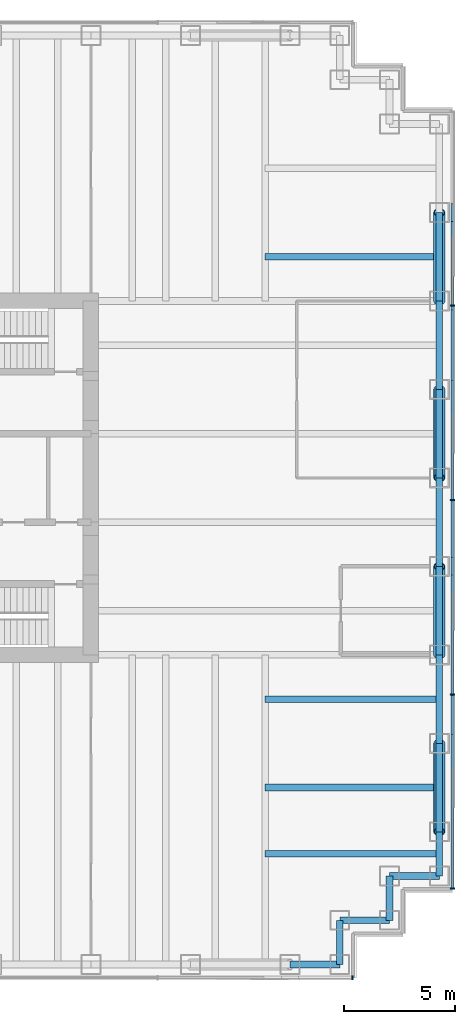
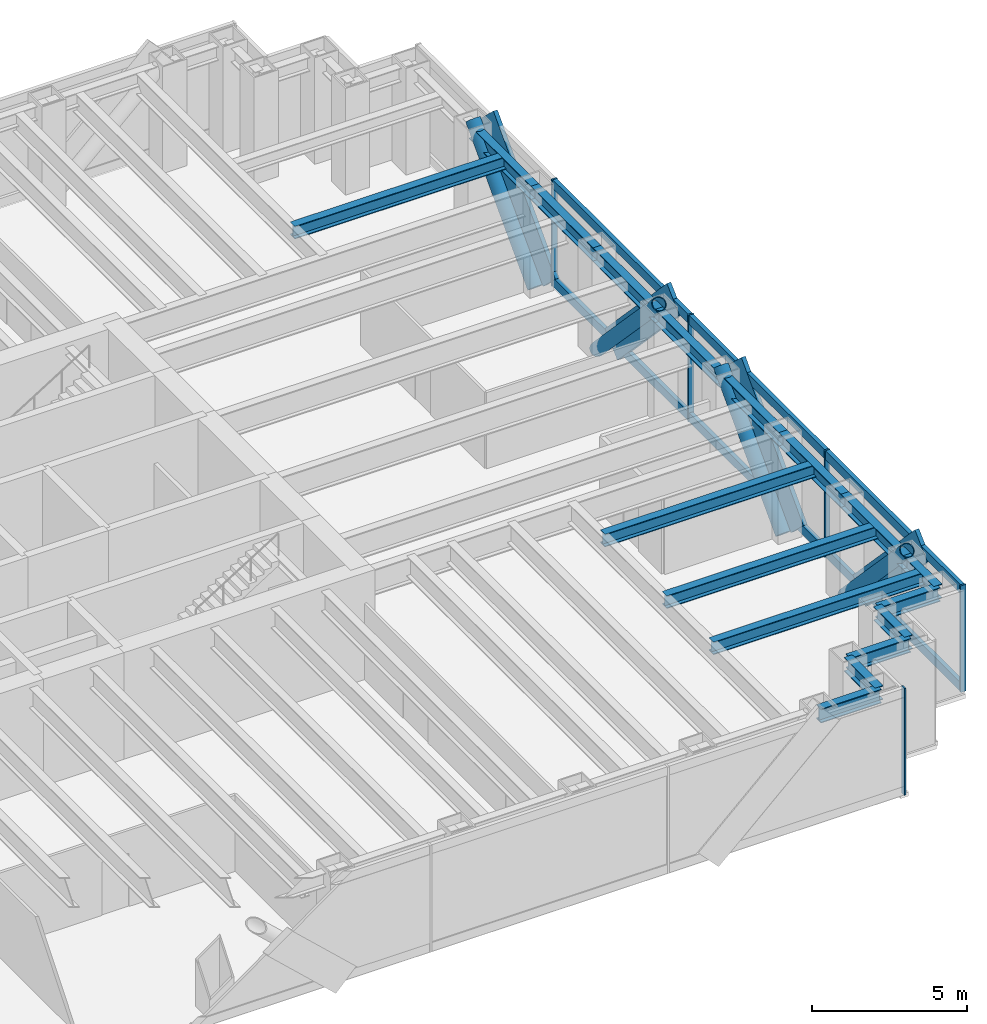
# One storey, part 8 of 15: 19 members, 17 beams, 2 elements without a shape of their own.
"""IFC4 building model written with IfcOpenShell, lengths in metres."""

from ifc_helpers import new_model, si_unit, direction, frame, origin, origin_2d, place, context, subcontext, project, spatial, rectangle, hollow_circle, i_section, extrude, material, material_profile, profile_set, type_object, element, aggregate, save


model = new_model("IFC4")

# Units and contexts
model_context = context("Model", 3, precision=1e-05, world=origin(), true_north=direction((0.0, 1.0)))
body_context = subcontext(model_context, "Body", "Model", "MODEL_VIEW")
ifc_project = project(units=[si_unit("LENGTHUNIT", "METRE"), si_unit("AREAUNIT", "SQUARE_METRE"), si_unit("VOLUMEUNIT", "CUBIC_METRE"), si_unit("PLANEANGLEUNIT", "RADIAN"), si_unit("MASSUNIT", "GRAM", prefix="KILO")], contexts=[model_context])

# Site, building, storey
site_placement = place(None, origin())
site = spatial("IfcSite", under=ifc_project, at=site_placement, CompositionType="ELEMENT")
building_placement = place(site_placement, origin())
building = spatial("IfcBuilding", under=site, at=building_placement, Name="Rheinbord Bourse Tower", CompositionType="ELEMENT")
storey_placement = place(building_placement, frame((0.0, 0.0, 325.699951171875)))
storey = spatial("IfcBuildingStorey", under=building, at=storey_placement, Name="L74", CompositionType="ELEMENT", Elevation=325.699951171875)

# Curtain wall, members
ifc_material_1 = material(Name="Dark glass and black aluminium", Category="aluminium")
curtain_wall_type = type_object("IfcCurtainWallType", Name="CW3 DARK GLASS CURTAIN WALL", PredefinedType="USERDEFINED", material=ifc_material_1)
curtain_wall_1_placement = place(storey_placement, origin())
curtain_wall_1 = element("IfcCurtainWall", 1, at=curtain_wall_1_placement, inside=storey, type_object=curtain_wall_type, Name="Curtain wall CW3 E L74", ObjectType="UNITISED CURTAIN WALL", PredefinedType="USERDEFINED")
ifc_material_2 = material(Name="Black anodised aluminium", Category="aluminium")
ifc_material_profile_1 = material_profile(ifc_material_2, rectangle(XDim=0.14990234375, YDim=1.10791015625, at=origin_2d()), Name="CW3 DIAGONAL MULLION 1108x150")
ifc_profile_set_1 = profile_set([ifc_material_profile_1], Name="Black anodised aluminium")
member_type_1 = type_object("IfcMemberType", Name="CW3 BLACK DIAGONAL MULLION", PredefinedType="USERDEFINED", material=ifc_profile_set_1)
member_1_placement = place(storey_placement, frame((70.35009765625, 16.0, 0.0), z_axis=(0.0, 0.689659376744, 0.724133926887), x_axis=(-1.0, 0.0, 0.0)))
member_1 = element("IfcMember", 2, at=member_1_placement, type_object=member_type_1, Name="CW3 diagonal mullion a", ObjectType="DIAGONAL MULLION", PredefinedType="USERDEFINED", context=body_context, shape_type="SweptSolid", body=[
    extrude(rectangle(XDim=0.14990234375, YDim=1.10791015625, at=origin_2d()), origin(), (0.0, 0.0, 1.0), 5.800048828125),
])
member_2_placement = place(storey_placement, frame((70.35009765625, 28.0, 0.0), z_axis=(0.0, -0.689659376744, 0.724133926887), x_axis=(1.0, 0.0, 0.0)))
member_2 = element("IfcMember", 3, at=member_2_placement, type_object=member_type_1, Name="CW3 diagonal mullion b", ObjectType="DIAGONAL MULLION", PredefinedType="USERDEFINED", context=body_context, shape_type="SweptSolid", body=[
    extrude(rectangle(XDim=0.14990234375, YDim=1.10791015625, at=origin_2d()), origin(), (0.0, 0.0, 1.0), 5.800048828125),
])
member_3_placement = place(storey_placement, frame((70.35009765625, 32.0, 0.0), z_axis=(0.0, 0.689659376744, 0.724133926887), x_axis=(-1.0, 0.0, 0.0)))
member_3 = element("IfcMember", 4, at=member_3_placement, type_object=member_type_1, Name="CW3 diagonal mullion c", ObjectType="DIAGONAL MULLION", PredefinedType="USERDEFINED", context=body_context, shape_type="SweptSolid", body=[
    extrude(rectangle(XDim=0.14990234375, YDim=1.10791015625, at=origin_2d()), origin(), (0.0, 0.0, 1.0), 5.800048828125),
])
member_4_placement = place(storey_placement, frame((70.35009765625, 12.0, 0.0), z_axis=(0.0, -0.689659376744, 0.724133926887), x_axis=(1.0, 0.0, 0.0)))
member_4 = element("IfcMember", 5, at=member_4_placement, type_object=member_type_1, Name="CW3 diagonal mullion d", ObjectType="DIAGONAL MULLION", PredefinedType="USERDEFINED", context=body_context, shape_type="SweptSolid", body=[
    extrude(rectangle(XDim=0.14990234375, YDim=1.10791015625, at=origin_2d()), origin(), (0.0, 0.0, 1.0), 5.800048828125),
])

# Curtain wall, member
curtain_wall_2_placement = place(storey_placement, origin())
curtain_wall_2 = element("IfcCurtainWall", 6, at=curtain_wall_2_placement, inside=storey, type_object=curtain_wall_type, Name="Curtain wall CW3 S L74", ObjectType="UNITISED CURTAIN WALL", PredefinedType="USERDEFINED")
ifc_material_3 = material(Name="Black anodised aluminium", Category="aluminium")
ifc_material_profile_2 = material_profile(ifc_material_3, rectangle(XDim=0.199951171875, YDim=0.06494140625, at=origin_2d()), Name="CW3 MULLION 65x200")
ifc_profile_set_2 = profile_set([ifc_material_profile_2], Name="Black anodised aluminium")
member_type_2 = type_object("IfcMemberType", Name="CW3 BLACK MULLION", PredefinedType="MULLION", material=ifc_profile_set_2)
member_5_placement = place(storey_placement, frame((65.8173828125, 1.39990234375, 0.0), z_axis=(0.0, 0.0, 1.0), x_axis=(0.0, 1.0, 0.0)))
member_5 = element("IfcMember", 7, at=member_5_placement, type_object=member_type_2, Name="CW3 mullion 8", PredefinedType="MULLION", context=body_context, shape_type="SweptSolid", body=[
    extrude(rectangle(XDim=0.199951171875, YDim=0.06494140625, at=origin_2d()), origin(), (0.0, 0.0, 1.0), 4.199951171875),
])
aggregate(curtain_wall_2, [member_5])

# Member
member_6_placement = place(storey_placement, frame((70.35009765625, 5.4326171875, 0.0), z_axis=(0.0, 0.0, 1.0), x_axis=(-1.0, 0.0, 0.0)))
member_6 = element("IfcMember", 8, at=member_6_placement, type_object=member_type_2, Name="CW3 mullion 1", PredefinedType="MULLION", context=body_context, shape_type="SweptSolid", body=[
    extrude(rectangle(XDim=0.199951171875, YDim=0.06494140625, at=origin_2d()), origin(), (0.0, 0.0, 1.0), 4.199951171875),
])

member_7_placement = place(storey_placement, frame((70.35009765625, 14.199951171875, 0.0), z_axis=(0.0, 0.0, 1.0), x_axis=(-1.0, 0.0, 0.0)))
member_7 = element("IfcMember", 9, at=member_7_placement, type_object=member_type_2, Name="CW3 mullion 2", PredefinedType="MULLION", context=body_context, shape_type="SweptSolid", body=[
    extrude(rectangle(XDim=0.199951171875, YDim=0.06494140625, at=origin_2d()), origin(), (0.0, 0.0, 1.0), 4.199951171875),
])

member_8_placement = place(storey_placement, frame((70.35009765625, 23.0, 0.0), z_axis=(0.0, 0.0, 1.0), x_axis=(-1.0, 0.0, 0.0)))
member_8 = element("IfcMember", 10, at=member_8_placement, type_object=member_type_2, Name="CW3 mullion 3", PredefinedType="MULLION", context=body_context, shape_type="SweptSolid", body=[
    extrude(rectangle(XDim=0.199951171875, YDim=0.06494140625, at=origin_2d()), origin(), (0.0, 0.0, 1.0), 4.199951171875),
])

member_9_placement = place(storey_placement, frame((70.35009765625, 31.800048828125, 0.0), z_axis=(0.0, 0.0, 1.0), x_axis=(-1.0, 0.0, 0.0)))
member_9 = element("IfcMember", 11, at=member_9_placement, type_object=member_type_2, Name="CW3 mullion 4", PredefinedType="MULLION", context=body_context, shape_type="SweptSolid", body=[
    extrude(rectangle(XDim=0.199951171875, YDim=0.06494140625, at=origin_2d()), origin(), (0.0, 0.0, 1.0), 4.199951171875),
])

ifc_material_4 = material(Name="Black anodised aluminium", Category="aluminium")
ifc_material_profile_3 = material_profile(ifc_material_4, rectangle(XDim=0.14990234375, YDim=0.35009765625, at=origin_2d()), Name="CW3 TRANSOM 350x150")
ifc_profile_set_3 = profile_set([ifc_material_profile_3], Name="Black anodised aluminium")
member_type_3 = type_object("IfcMemberType", Name="CW3 BLACK TRANSOM", PredefinedType="USERDEFINED", material=ifc_profile_set_3)
member_10_placement = place(storey_placement, frame((70.35009765625, 5.465087890625, 0.175048828125), z_axis=(0.0, 1.0, 0.0), x_axis=(-1.0, 0.0, 0.0)))
member_10 = element("IfcMember", 12, at=member_10_placement, type_object=member_type_3, Name="CW3 transom 1.1", ObjectType="TRANSOM", PredefinedType="USERDEFINED", context=body_context, shape_type="SweptSolid", body=[
    extrude(rectangle(XDim=0.14990234375, YDim=0.35009765625, at=origin_2d()), origin(), (0.0, 0.0, 1.0), 8.702392578125),
])

member_11_placement = place(storey_placement, frame((70.35009765625, 5.465087890625, 4.025146484375), z_axis=(0.0, 1.0, 0.0), x_axis=(-1.0, 0.0, 0.0)))
member_11 = element("IfcMember", 13, at=member_11_placement, type_object=member_type_3, Name="CW3 transom 1.2", ObjectType="TRANSOM", PredefinedType="USERDEFINED", context=body_context, shape_type="SweptSolid", body=[
    extrude(rectangle(XDim=0.14990234375, YDim=0.35009765625, at=origin_2d()), origin(), (0.0, 0.0, 1.0), 8.702392578125),
])

member_12_placement = place(storey_placement, frame((70.35009765625, 14.232421875, 0.175048828125), z_axis=(0.0, 1.0, 0.0), x_axis=(-1.0, 0.0, 0.0)))
member_12 = element("IfcMember", 14, at=member_12_placement, type_object=member_type_3, Name="CW3 transom 2.1", ObjectType="TRANSOM", PredefinedType="USERDEFINED", context=body_context, shape_type="SweptSolid", body=[
    extrude(rectangle(XDim=0.14990234375, YDim=0.35009765625, at=origin_2d()), origin(), (0.0, 0.0, 1.0), 8.735107421875),
])

member_13_placement = place(storey_placement, frame((70.35009765625, 14.232421875, 4.025146484375), z_axis=(0.0, 1.0, 0.0), x_axis=(-1.0, 0.0, 0.0)))
member_13 = element("IfcMember", 15, at=member_13_placement, type_object=member_type_3, Name="CW3 transom 2.2", ObjectType="TRANSOM", PredefinedType="USERDEFINED", context=body_context, shape_type="SweptSolid", body=[
    extrude(rectangle(XDim=0.14990234375, YDim=0.35009765625, at=origin_2d()), origin(), (0.0, 0.0, 1.0), 8.735107421875),
])

member_14_placement = place(storey_placement, frame((70.35009765625, 23.032470703125, 0.175048828125), z_axis=(0.0, 1.0, 0.0), x_axis=(-1.0, 0.0, 0.0)))
member_14 = element("IfcMember", 16, at=member_14_placement, type_object=member_type_3, Name="CW3 transom 3.1", ObjectType="TRANSOM", PredefinedType="USERDEFINED", context=body_context, shape_type="SweptSolid", body=[
    extrude(rectangle(XDim=0.14990234375, YDim=0.35009765625, at=origin_2d()), origin(), (0.0, 0.0, 1.0), 8.735107421875),
])

member_15_placement = place(storey_placement, frame((70.35009765625, 23.032470703125, 4.025146484375), z_axis=(0.0, 1.0, 0.0), x_axis=(-1.0, 0.0, 0.0)))
member_15 = element("IfcMember", 17, at=member_15_placement, type_object=member_type_3, Name="CW3 transom 3.2", ObjectType="TRANSOM", PredefinedType="USERDEFINED", context=body_context, shape_type="SweptSolid", body=[
    extrude(rectangle(XDim=0.14990234375, YDim=0.35009765625, at=origin_2d()), origin(), (0.0, 0.0, 1.0), 8.735107421875),
])

aggregate(curtain_wall_1, [member_6, member_7, member_8, member_9, member_10, member_11, member_12, member_13, member_14, member_15, member_1, member_2, member_3, member_4])

# Members
ifc_material_5 = material(Name="Steel S460", Category="steel")
ifc_material_profile_4 = material_profile(ifc_material_5, hollow_circle(Radius=0.25390625, WallThickness=0.030029296875, at=origin_2d()), Name="CHS 508x30")
ifc_profile_set_4 = profile_set([ifc_material_profile_4], Name="Steel S460")
member_type_4 = type_object("IfcMemberType", Name="MEGABRACE CHS 508x30", PredefinedType="BRACE", material=ifc_profile_set_4)
for number, where, z_axis, x_axis, name in (
    (18, (69.75, 16.0, 0.0), (0.0, 0.689659376744, 0.724133926887), (-1.0, 0.0, 0.0), "Megabrace E face line a L74"),
    (19, (69.75, 28.0, 0.0), (0.0, -0.689659376744, 0.724133926887), (1.0, 0.0, 0.0), "Megabrace E face line b L74"),
    (20, (69.75, 32.0, 0.0), (0.0, 0.689659376744, 0.724133926887), (-1.0, 0.0, 0.0), "Megabrace E face line c L74"),
    (21, (69.75, 12.0, 0.0), (0.0, -0.689659376744, 0.724133926887), (1.0, 0.0, 0.0), "Megabrace E face line d L74"),
):
    element("IfcMember", number, at=place(storey_placement, frame(where, z_axis=z_axis, x_axis=x_axis)), inside=storey, type_object=member_type_4, Name=name, PredefinedType="BRACE", context=body_context, shape_type="SweptSolid", body=[
        extrude(hollow_circle(Radius=0.25390625, WallThickness=0.030029296875, at=origin_2d()), origin(), (0.0, 0.0, 1.0), 5.800048828125),
    ])

# Beams
ifc_material_6 = material(Name="Steel S460", Category="steel")
ifc_material_profile_5 = material_profile(ifc_material_6, i_section(OverallWidth=0.300048828125, OverallDepth=0.550048828125, WebThickness=0.014892578125, FlangeThickness=0.029052734375, at=origin_2d()), Name="HEB 550")
ifc_profile_set_5 = profile_set([ifc_material_profile_5], Name="Steel S460")
beam_type_1 = type_object("IfcBeamType", Name="SPANDREL HEB 550", PredefinedType="SPANDREL", material=ifc_profile_set_5)
beam_1_placement = place(storey_placement, frame((63.0, 2.0, 3.76513671875), z_axis=(1.0, 0.0, 0.0), x_axis=(0.0, 1.0, 0.0)))
element("IfcBeam", 22, at=beam_1_placement, inside=storey, type_object=beam_type_1, Name="Spandrel S-63-SE-E under L75", PredefinedType="SPANDREL", context=body_context, shape_type="SweptSolid", body=[
    extrude(i_section(OverallWidth=0.300048828125, OverallDepth=0.550048828125, WebThickness=0.014892578125, FlangeThickness=0.029052734375, at=origin_2d()), origin(), (0.0, 0.0, 1.0), 2.25),
])
beam_2_placement = place(storey_placement, frame((65.25, 2.0, 3.76513671875), z_axis=(0.0, 1.0, 0.0), x_axis=(-1.0, 0.0, 0.0)))
element("IfcBeam", 23, at=beam_2_placement, inside=storey, type_object=beam_type_1, Name="Spandrel SE-E-SE-D under L75", PredefinedType="SPANDREL", context=body_context, shape_type="SweptSolid", body=[
    extrude(i_section(OverallWidth=0.300048828125, OverallDepth=0.550048828125, WebThickness=0.014892578125, FlangeThickness=0.029052734375, at=origin_2d()), origin(), (0.0, 0.0, 1.0), 2.0),
])
beam_3_placement = place(storey_placement, frame((65.25, 4.0, 3.76513671875), z_axis=(1.0, 0.0, 0.0), x_axis=(0.0, 1.0, 0.0)))
element("IfcBeam", 24, at=beam_3_placement, inside=storey, type_object=beam_type_1, Name="Spandrel SE-D-SE-C under L75", PredefinedType="SPANDREL", context=body_context, shape_type="SweptSolid", body=[
    extrude(i_section(OverallWidth=0.300048828125, OverallDepth=0.550048828125, WebThickness=0.014892578125, FlangeThickness=0.029052734375, at=origin_2d()), origin(), (0.0, 0.0, 1.0), 2.25),
])
beam_4_placement = place(storey_placement, frame((67.5, 4.0, 3.76513671875), z_axis=(0.0, 1.0, 0.0), x_axis=(-1.0, 0.0, 0.0)))
element("IfcBeam", 25, at=beam_4_placement, inside=storey, type_object=beam_type_1, Name="Spandrel SE-C-SE-B under L75", PredefinedType="SPANDREL", context=body_context, shape_type="SweptSolid", body=[
    extrude(i_section(OverallWidth=0.300048828125, OverallDepth=0.550048828125, WebThickness=0.014892578125, FlangeThickness=0.029052734375, at=origin_2d()), origin(), (0.0, 0.0, 1.0), 2.0),
])
beam_5_placement = place(storey_placement, frame((67.5, 6.0, 3.76513671875), z_axis=(1.0, 0.0, 0.0), x_axis=(0.0, 1.0, 0.0)))
element("IfcBeam", 26, at=beam_5_placement, inside=storey, type_object=beam_type_1, Name="Spandrel SE-B-SE-A under L75", PredefinedType="SPANDREL", context=body_context, shape_type="SweptSolid", body=[
    extrude(i_section(OverallWidth=0.300048828125, OverallDepth=0.550048828125, WebThickness=0.014892578125, FlangeThickness=0.029052734375, at=origin_2d()), origin(), (0.0, 0.0, 1.0), 2.25),
])
beam_6_placement = place(storey_placement, frame((69.75, 6.0, 3.76513671875), z_axis=(0.0, 1.0, 0.0), x_axis=(-1.0, 0.0, 0.0)))
element("IfcBeam", 27, at=beam_6_placement, inside=storey, type_object=beam_type_1, Name="Spandrel SE-A-E-8 under L75", PredefinedType="SPANDREL", context=body_context, shape_type="SweptSolid", body=[
    extrude(i_section(OverallWidth=0.300048828125, OverallDepth=0.550048828125, WebThickness=0.014892578125, FlangeThickness=0.029052734375, at=origin_2d()), origin(), (0.0, 0.0, 1.0), 2.0),
])
for number, where, z_axis, x_axis, name in (
    (28, (69.75, 8.0, 3.76513671875), (0.0, 1.0, 0.0), (-1.0, 0.0, 0.0), "Spandrel E-8-E-12 under L75"),
    (29, (69.75, 12.0, 3.76513671875), (0.0, 1.0, 0.0), (-1.0, 0.0, 0.0), "Spandrel E-12-E-16 under L75"),
    (30, (69.75, 16.0, 3.76513671875), (0.0, 1.0, 0.0), (-1.0, 0.0, 0.0), "Spandrel E-16-E-20 under L75"),
    (31, (69.75, 20.0, 3.76513671875), (0.0, 1.0, 0.0), (-1.0, 0.0, 0.0), "Spandrel E-20-E-24 under L75"),
    (32, (69.75, 24.0, 3.76513671875), (0.0, 1.0, 0.0), (-1.0, 0.0, 0.0), "Spandrel E-24-E-28 under L75"),
    (33, (69.75, 28.0, 3.76513671875), (0.0, 1.0, 0.0), (-1.0, 0.0, 0.0), "Spandrel E-28-E-32 under L75"),
    (34, (69.75, 32.0, 3.76513671875), (0.0, 1.0, 0.0), (-1.0, 0.0, 0.0), "Spandrel E-32-E-36 under L75"),
):
    element("IfcBeam", number, at=place(storey_placement, frame(where, z_axis=z_axis, x_axis=x_axis)), inside=storey, type_object=beam_type_1, Name=name, PredefinedType="SPANDREL", context=body_context, shape_type="SweptSolid", body=[
        extrude(i_section(OverallWidth=0.300048828125, OverallDepth=0.550048828125, WebThickness=0.014892578125, FlangeThickness=0.029052734375, at=origin_2d()), origin(), (0.0, 0.0, 1.0), 4.0),
    ])
ifc_material_7 = material(Name="Steel S460", Category="steel")
ifc_material_profile_6 = material_profile(ifc_material_7, i_section(OverallWidth=0.300048828125, OverallDepth=0.5, WebThickness=0.014404296875, FlangeThickness=0.028076171875, at=origin_2d()), Name="HEB 500")
ifc_profile_set_6 = profile_set([ifc_material_profile_6], Name="Steel S460")
beam_type_2 = type_object("IfcBeamType", Name="TIE BEAM HEB 500", PredefinedType="JOIST", material=ifc_profile_set_6)
for number, where, z_axis, x_axis, name in (
    (35, (61.875, 7.0, 3.7900390625), (1.0, 0.0, 0.0), (0.0, 1.0, 0.0), "Tie east 7 L75"),
    (36, (61.875, 10.0, 3.7900390625), (1.0, 0.0, 0.0), (0.0, 1.0, 0.0), "Tie east 10 L75"),
    (37, (61.875, 14.0, 3.7900390625), (1.0, 0.0, 0.0), (0.0, 1.0, 0.0), "Tie east 14 L75"),
    (38, (61.875, 34.0, 3.7900390625), (1.0, 0.0, 0.0), (0.0, 1.0, 0.0), "Tie east 34 L75"),
):
    element("IfcBeam", number, at=place(storey_placement, frame(where, z_axis=z_axis, x_axis=x_axis)), inside=storey, type_object=beam_type_2, Name=name, PredefinedType="JOIST", context=body_context, shape_type="SweptSolid", body=[
        extrude(i_section(OverallWidth=0.300048828125, OverallDepth=0.5, WebThickness=0.014404296875, FlangeThickness=0.028076171875, at=origin_2d()), origin(), (0.0, 0.0, 1.0), 7.875),
    ])

save(model, "model.ifc")
